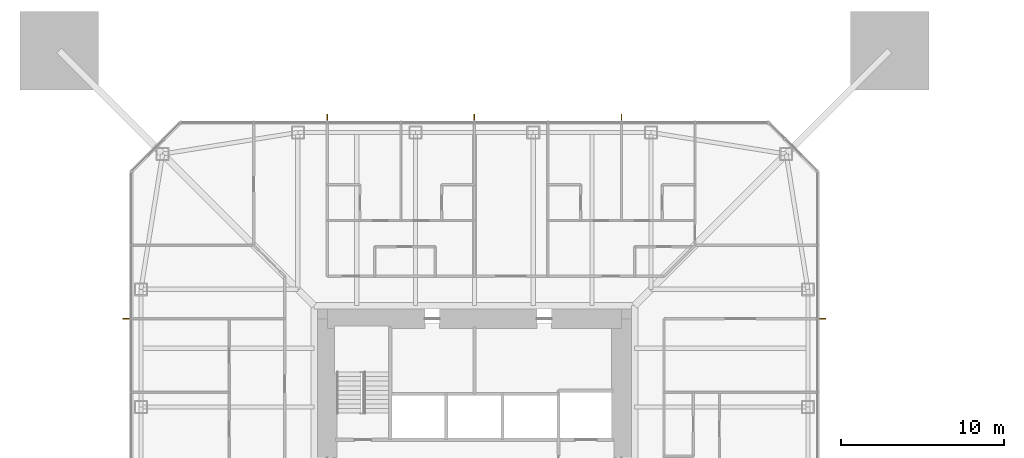
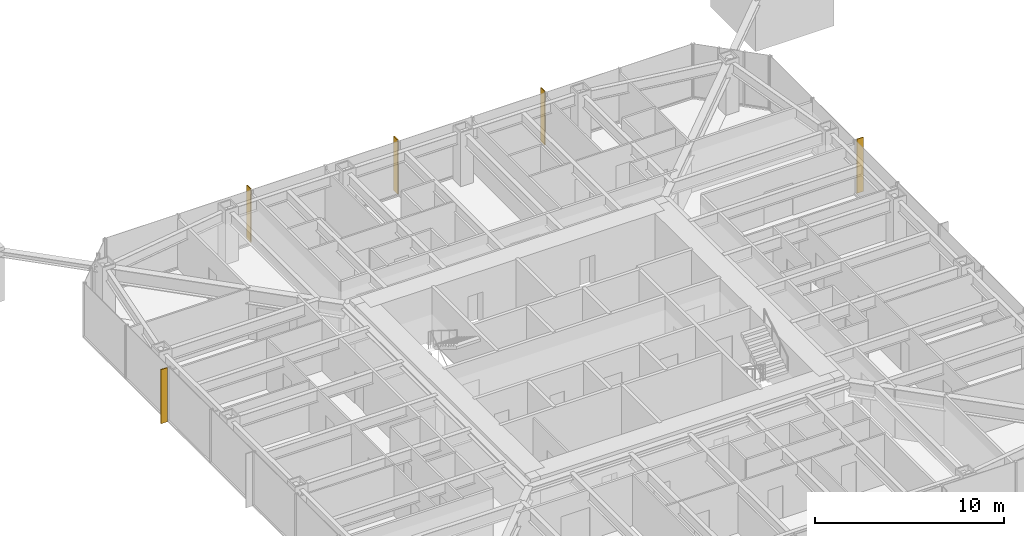
# One storey, part 24 of 25: 5 shading devices.
"""IFC4 building model written with IfcOpenShell, lengths in metres."""

from ifc_helpers import new_model, si_unit, direction, frame, origin, origin_2d, place, context, subcontext, project, spatial, rectangle, extrude, material, layer, layer_set, type_object, element, save


model = new_model("IFC4")

# Units and contexts
model_context = context("Model", 3, precision=1e-05, world=origin(), true_north=direction((0.0, 1.0)))
body_context = subcontext(model_context, "Body", "Model", "MODEL_VIEW")
ifc_project = project(units=[si_unit("LENGTHUNIT", "METRE"), si_unit("AREAUNIT", "SQUARE_METRE"), si_unit("VOLUMEUNIT", "CUBIC_METRE"), si_unit("PLANEANGLEUNIT", "RADIAN"), si_unit("MASSUNIT", "GRAM", prefix="KILO")], contexts=[model_context])

# Site, building, storey
site_placement = place(None, origin())
site = spatial("IfcSite", under=ifc_project, at=site_placement, CompositionType="ELEMENT")
building_placement = place(site_placement, origin())
building = spatial("IfcBuilding", under=site, at=building_placement, Name="Iwan Alto Co-Living Towers", CompositionType="ELEMENT")
storey_placement = place(building_placement, frame((0.0, 0.0, 112.0)))
storey = spatial("IfcBuildingStorey", under=building, at=storey_placement, Name="L30", CompositionType="ELEMENT", Elevation=112.0)

# Shading devices
ifc_material = material(Name="Aluminium 6063-T6 bronze anodised", Category="aluminium")
ifc_layer = layer(ifc_material, 0.050048828125)
ifc_layer_set = layer_set([ifc_layer], Name="BRONZE FIN 50X400")
shading_device_type = type_object("IfcShadingDeviceType", Name="BRONZE FIN 50X400", PredefinedType="USERDEFINED", material=ifc_layer_set)
for number, where, z_axis, x_axis, name in (
    (1, (21.300048828125, 9.0, 0.0), (0.0, 0.0, 1.0), (0.0, 1.0, 0.0), "Bronze fin L30"),
    (2, (9.0, 21.300048828125, 0.0), (0.0, 0.0, 1.0), (-1.0, 0.0, 0.0), "Bronze fin L30"),
    (3, (0.0, 21.300048828125, 0.0), (0.0, 0.0, 1.0), (-1.0, 0.0, 0.0), "Bronze fin L30"),
    (4, (-9.0, 21.300048828125, 0.0), (0.0, 0.0, 1.0), (-1.0, 0.0, 0.0), "Bronze fin L30"),
    (5, (-21.300048828125, 9.0, 0.0), (0.0, 0.0, 1.0), (0.0, -1.0, 0.0), "Bronze fin L30"),
):
    element("IfcShadingDevice", number, at=place(storey_placement, frame(where, z_axis=z_axis, x_axis=x_axis)), inside=storey, type_object=shading_device_type, Name=name, ObjectType="LOUVER", PredefinedType="USERDEFINED", context=body_context, shape_type="SweptSolid", body=[
        extrude(rectangle(XDim=0.050048828125, YDim=0.39990234375, at=origin_2d()), origin(), (0.0, 0.0, 1.0), 3.5),
    ])

save(model, "model.ifc")
